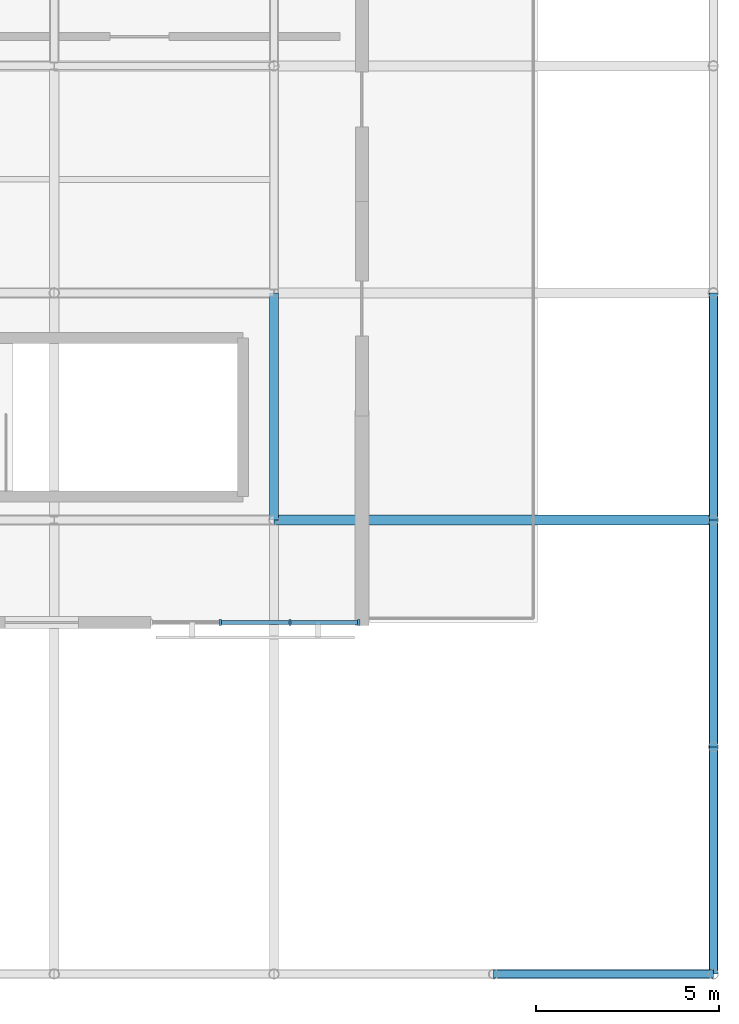
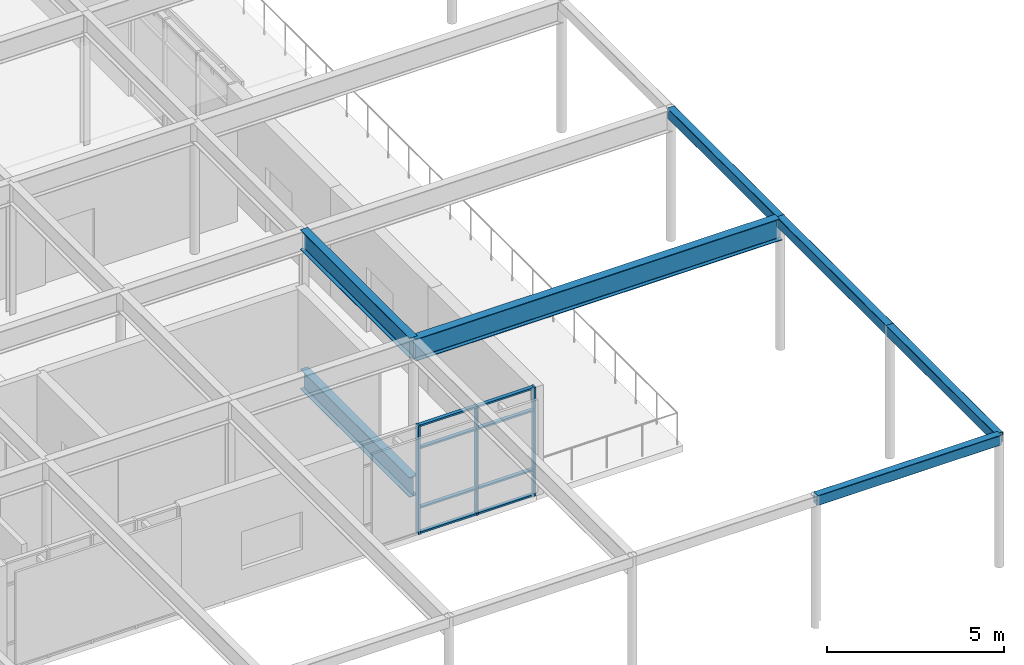
# One storey, part 25 of 48: 11 members, 7 beams, 1 element without a shape of its own.
"""IFC4 building model written with IfcOpenShell, lengths in metres."""

from ifc_helpers import new_model, si_unit, direction, frame, origin, origin_2d, place, context, subcontext, project, spatial, rectangle, hollow_rectangle, i_section, extrude, material, layer, layer_set, material_profile, profile_set, type_object, element, aggregate, save


model = new_model("IFC4")

# Units and contexts
model_context = context("Model", 3, precision=1e-05, world=origin(), true_north=direction((0.0, 1.0)))
body_context = subcontext(model_context, "Body", "Model", "MODEL_VIEW")
ifc_project = project(units=[si_unit("LENGTHUNIT", "METRE"), si_unit("AREAUNIT", "SQUARE_METRE"), si_unit("VOLUMEUNIT", "CUBIC_METRE"), si_unit("PLANEANGLEUNIT", "RADIAN"), si_unit("MASSUNIT", "GRAM", prefix="KILO")], contexts=[model_context])

# Site, building, storey
site_placement = place(None, origin())
site = spatial("IfcSite", under=ifc_project, at=site_placement, CompositionType="ELEMENT")
building_placement = place(site_placement, origin())
building = spatial("IfcBuilding", under=site, at=building_placement, Name="Mirzam Square Science Centre", CompositionType="ELEMENT")
storey_placement = place(building_placement, frame((0.0, 0.0, 20.39990234375)))
storey = spatial("IfcBuildingStorey", under=building, at=storey_placement, Name="L04", CompositionType="ELEMENT", Elevation=20.39990234375)

# Beams
ifc_material_1 = material(Name="Steel S355", Category="steel")
ifc_material_profile_1 = material_profile(ifc_material_1, i_section(OverallWidth=0.25439453125, OverallDepth=0.6875, WebThickness=0.01318359375, FlangeThickness=0.02099609375, FilletRadius=0.01513671875, at=origin_2d()), Name="686x254x152UB")
ifc_profile_set_1 = profile_set([ifc_material_profile_1], Name="Steel S355")
beam_type_1 = type_object("IfcBeamType", Name="BM-UB686", PredefinedType="BEAM", material=ifc_profile_set_1)
for number, where, z_axis, x_axis, name in (
    (1, (150.0, 49.60009765625, -0.59375), (0.0, 1.0, 0.0), (-1.0, 0.0, 0.0), "L04 girder Y26-9"),
    (2, (150.0, 49.60009765625, 4.226318359375), (0.0, 1.0, 0.0), (-1.0, 0.0, 0.0), "Parasol roof girder X26 Y9-10"),
):
    element("IfcBeam", number, at=place(storey_placement, frame(where, z_axis=z_axis, x_axis=x_axis)), inside=storey, type_object=beam_type_1, Name=name, PredefinedType="BEAM", context=body_context, shape_type="SweptSolid", body=[
        extrude(i_section(OverallWidth=0.25439453125, OverallDepth=0.6875, WebThickness=0.01318359375, FlangeThickness=0.02099609375, FilletRadius=0.01513671875, at=origin_2d()), origin(), (0.0, 0.0, 1.0), 6.199951171875),
    ])
ifc_material_profile_2 = material_profile(ifc_material_1, i_section(OverallWidth=0.2666015625, OverallDepth=0.76220703125, WebThickness=0.014404296875, FlangeThickness=0.021484375, FilletRadius=0.0166015625, at=origin_2d()), Name="762x267x173UB")
ifc_profile_set_2 = profile_set([ifc_material_profile_2], Name="Steel S355")
beam_type_2 = type_object("IfcBeamType", Name="BM-UB762", PredefinedType="BEAM", material=ifc_profile_set_2)
beam_1_placement = place(storey_placement, frame((150.0, 49.60009765625, 4.18896484375), z_axis=(1.0, 0.0, 0.0), x_axis=(0.0, 1.0, 0.0)))
element("IfcBeam", 3, at=beam_1_placement, inside=storey, type_object=beam_type_2, Name="Parasol roof girder Y9 X26-28", PredefinedType="BEAM", context=body_context, shape_type="SweptSolid", body=[
    extrude(i_section(OverallWidth=0.2666015625, OverallDepth=0.76220703125, WebThickness=0.014404296875, FlangeThickness=0.021484375, FilletRadius=0.0166015625, at=origin_2d()), origin(), (0.0, 0.0, 1.0), 12.0),
])

# Curtain wall, members
ifc_material_2 = material(Name="Anodised Aluminium and Low-E Solar Glass", Category="aluminium")
ifc_layer = layer(ifc_material_2, 0.199951171875)
ifc_layer_set = layer_set([ifc_layer], Name="CW-PARK-B")
curtain_wall_type = type_object("IfcCurtainWallType", Name="CW-PARK-B", PredefinedType="USERDEFINED", material=ifc_layer_set)
curtain_wall_placement = place(storey_placement, origin())
curtain_wall = element("IfcCurtainWall", 4, at=curtain_wall_placement, inside=storey, type_object=curtain_wall_type, Name="L04 unitised curtain wall 149", ObjectType="UNITISED CURTAIN WALL", PredefinedType="USERDEFINED")
ifc_material_3 = material(Name="Anodised Architectural Aluminium 6063-T6", Category="aluminium")
ifc_material_profile_3 = material_profile(ifc_material_3, rectangle(XDim=0.06005859375, YDim=0.159912109375, at=origin_2d()), Name="ALU-MULL-160x60x4")
ifc_profile_set_3 = profile_set([ifc_material_profile_3], Name="Anodised Architectural Aluminium 6063-T6")
member_type_1 = type_object("IfcMemberType", Name="CWM-160", PredefinedType="MULLION", material=ifc_profile_set_3)
member_1_placement = place(storey_placement, frame((148.53271484375, 46.800048828125, 0.0), z_axis=(0.0, 0.0, 1.0), x_axis=(1.0, 0.0, 0.0)))
member_1 = element("IfcMember", 5, at=member_1_placement, type_object=member_type_1, Name="CW-02 mullion 2", PredefinedType="MULLION", context=body_context, shape_type="SweptSolid", body=[
    extrude(rectangle(XDim=0.06005859375, YDim=0.159912109375, at=origin_2d()), origin(), (0.0, 0.0, 1.0), 3.760009765625),
])
member_2_placement = place(storey_placement, frame((150.438720703125, 46.800048828125, 0.0), z_axis=(0.0, 0.0, 1.0), x_axis=(1.0, 0.0, 0.0)))
member_2 = element("IfcMember", 6, at=member_2_placement, type_object=member_type_1, Name="CW-02 mullion 3", PredefinedType="MULLION", context=body_context, shape_type="SweptSolid", body=[
    extrude(rectangle(XDim=0.06005859375, YDim=0.159912109375, at=origin_2d()), origin(), (0.0, 0.0, 1.0), 3.760009765625),
])
member_3_placement = place(storey_placement, frame((152.31494140625, 46.800048828125, 0.0), z_axis=(0.0, 0.0, 1.0), x_axis=(1.0, 0.0, 0.0)))
member_3 = element("IfcMember", 7, at=member_3_placement, type_object=member_type_1, Name="CW-02 mullion 4", PredefinedType="MULLION", context=body_context, shape_type="SweptSolid", body=[
    extrude(rectangle(XDim=0.06005859375, YDim=0.159912109375, at=origin_2d()), origin(), (0.0, 0.0, 1.0), 3.760009765625),
])
ifc_material_profile_4 = material_profile(ifc_material_3, rectangle(XDim=0.1201171875, YDim=0.06005859375, at=origin_2d()), Name="ALU-TRAN-120x60x4")
ifc_profile_set_4 = profile_set([ifc_material_profile_4], Name="Anodised Architectural Aluminium 6063-T6")
member_type_2 = type_object("IfcMemberType", Name="CWT-120", PredefinedType="USERDEFINED", material=ifc_profile_set_4)
member_4_placement = place(storey_placement, frame((148.5625, 46.800048828125, 0.030029296875), z_axis=(1.0, 0.0, 0.0), x_axis=(0.0, 1.0, 0.0)))
member_4 = element("IfcMember", 8, at=member_4_placement, type_object=member_type_2, Name="CW-02 transom 2.1", ObjectType="TRANSOM", PredefinedType="USERDEFINED", context=body_context, shape_type="SweptSolid", body=[
    extrude(rectangle(XDim=0.1201171875, YDim=0.06005859375, at=origin_2d()), origin(), (0.0, 0.0, 1.0), 1.84619140625),
])
member_5_placement = place(storey_placement, frame((148.5625, 46.800048828125, 0.900146484375), z_axis=(1.0, 0.0, 0.0), x_axis=(0.0, 1.0, 0.0)))
member_5 = element("IfcMember", 9, at=member_5_placement, type_object=member_type_2, Name="CW-02 transom 2.2", ObjectType="TRANSOM", PredefinedType="USERDEFINED", context=body_context, shape_type="SweptSolid", body=[
    extrude(rectangle(XDim=0.1201171875, YDim=0.06005859375, at=origin_2d()), origin(), (0.0, 0.0, 1.0), 1.84619140625),
])
member_6_placement = place(storey_placement, frame((148.5625, 46.800048828125, 2.960205078125), z_axis=(1.0, 0.0, 0.0), x_axis=(0.0, 1.0, 0.0)))
member_6 = element("IfcMember", 10, at=member_6_placement, type_object=member_type_2, Name="CW-02 transom 2.3", ObjectType="TRANSOM", PredefinedType="USERDEFINED", context=body_context, shape_type="SweptSolid", body=[
    extrude(rectangle(XDim=0.1201171875, YDim=0.06005859375, at=origin_2d()), origin(), (0.0, 0.0, 1.0), 1.84619140625),
])
member_7_placement = place(storey_placement, frame((148.5625, 46.800048828125, 3.72998046875), z_axis=(1.0, 0.0, 0.0), x_axis=(0.0, 1.0, 0.0)))
member_7 = element("IfcMember", 11, at=member_7_placement, type_object=member_type_2, Name="CW-02 transom 2.4", ObjectType="TRANSOM", PredefinedType="USERDEFINED", context=body_context, shape_type="SweptSolid", body=[
    extrude(rectangle(XDim=0.1201171875, YDim=0.06005859375, at=origin_2d()), origin(), (0.0, 0.0, 1.0), 1.84619140625),
])
member_8_placement = place(storey_placement, frame((150.46875, 46.800048828125, 0.030029296875), z_axis=(1.0, 0.0, 0.0), x_axis=(0.0, 1.0, 0.0)))
member_8 = element("IfcMember", 12, at=member_8_placement, type_object=member_type_2, Name="CW-02 transom 3.1", ObjectType="TRANSOM", PredefinedType="USERDEFINED", context=body_context, shape_type="SweptSolid", body=[
    extrude(rectangle(XDim=0.1201171875, YDim=0.06005859375, at=origin_2d()), origin(), (0.0, 0.0, 1.0), 1.816162109375),
])
member_9_placement = place(storey_placement, frame((150.46875, 46.800048828125, 0.900146484375), z_axis=(1.0, 0.0, 0.0), x_axis=(0.0, 1.0, 0.0)))
member_9 = element("IfcMember", 13, at=member_9_placement, type_object=member_type_2, Name="CW-02 transom 3.2", ObjectType="TRANSOM", PredefinedType="USERDEFINED", context=body_context, shape_type="SweptSolid", body=[
    extrude(rectangle(XDim=0.1201171875, YDim=0.06005859375, at=origin_2d()), origin(), (0.0, 0.0, 1.0), 1.816162109375),
])
member_10_placement = place(storey_placement, frame((150.46875, 46.800048828125, 2.960205078125), z_axis=(1.0, 0.0, 0.0), x_axis=(0.0, 1.0, 0.0)))
member_10 = element("IfcMember", 14, at=member_10_placement, type_object=member_type_2, Name="CW-02 transom 3.3", ObjectType="TRANSOM", PredefinedType="USERDEFINED", context=body_context, shape_type="SweptSolid", body=[
    extrude(rectangle(XDim=0.1201171875, YDim=0.06005859375, at=origin_2d()), origin(), (0.0, 0.0, 1.0), 1.816162109375),
])
member_11_placement = place(storey_placement, frame((150.46875, 46.800048828125, 3.72998046875), z_axis=(1.0, 0.0, 0.0), x_axis=(0.0, 1.0, 0.0)))
member_11 = element("IfcMember", 15, at=member_11_placement, type_object=member_type_2, Name="CW-02 transom 3.4", ObjectType="TRANSOM", PredefinedType="USERDEFINED", context=body_context, shape_type="SweptSolid", body=[
    extrude(rectangle(XDim=0.1201171875, YDim=0.06005859375, at=origin_2d()), origin(), (0.0, 0.0, 1.0), 1.816162109375),
])
aggregate(curtain_wall, [member_1, member_2, member_3, member_4, member_5, member_6, member_7, member_8, member_9, member_10, member_11])

# Beams
ifc_material_profile_5 = material_profile(ifc_material_1, hollow_rectangle(XDim=0.25, YDim=0.35009765625, WallThickness=0.012451171875, InnerFilletRadius=0.012451171875, OuterFilletRadius=0.02490234375, at=origin_2d()), Name="350x250x12.5RHS")
ifc_profile_set_5 = profile_set([ifc_material_profile_5], Name="Steel S355")
beam_type_3 = type_object("IfcBeamType", Name="SP-RHS350", PredefinedType="SPANDREL", material=ifc_profile_set_5)
beam_2_placement = place(storey_placement, frame((156.0, 37.199951171875, 4.39501953125), z_axis=(1.0, 0.0, 0.0), x_axis=(0.0, 1.0, 0.0)))
element("IfcBeam", 16, at=beam_2_placement, inside=storey, type_object=beam_type_3, Name="Parasol S fascia beam 27", PredefinedType="SPANDREL", context=body_context, shape_type="SweptSolid", body=[
    extrude(hollow_rectangle(XDim=0.25, YDim=0.35009765625, WallThickness=0.012451171875, InnerFilletRadius=0.012451171875, OuterFilletRadius=0.02490234375, at=origin_2d()), origin(), (0.0, 0.0, 1.0), 6.0),
])
beam_3_placement = place(storey_placement, frame((162.0, 37.199951171875, 4.39501953125), z_axis=(0.0, 1.0, 0.0), x_axis=(-1.0, 0.0, 0.0)))
element("IfcBeam", 17, at=beam_3_placement, inside=storey, type_object=beam_type_3, Name="Parasol E fascia beam 7", PredefinedType="SPANDREL", context=body_context, shape_type="SweptSolid", body=[
    extrude(hollow_rectangle(XDim=0.25, YDim=0.35009765625, WallThickness=0.012451171875, InnerFilletRadius=0.012451171875, OuterFilletRadius=0.02490234375, at=origin_2d()), origin(), (0.0, 0.0, 1.0), 6.199951171875),
])
beam_4_placement = place(storey_placement, frame((162.0, 43.39990234375, 4.39501953125), z_axis=(0.0, 1.0, 0.0), x_axis=(-1.0, 0.0, 0.0)))
element("IfcBeam", 18, at=beam_4_placement, inside=storey, type_object=beam_type_3, Name="Parasol E fascia beam 8", PredefinedType="SPANDREL", context=body_context, shape_type="SweptSolid", body=[
    extrude(hollow_rectangle(XDim=0.25, YDim=0.35009765625, WallThickness=0.012451171875, InnerFilletRadius=0.012451171875, OuterFilletRadius=0.02490234375, at=origin_2d()), origin(), (0.0, 0.0, 1.0), 6.2001953125),
])
beam_5_placement = place(storey_placement, frame((162.0, 49.60009765625, 4.39501953125), z_axis=(0.0, 1.0, 0.0), x_axis=(-1.0, 0.0, 0.0)))
element("IfcBeam", 19, at=beam_5_placement, inside=storey, type_object=beam_type_3, Name="Parasol E fascia beam 9", PredefinedType="SPANDREL", context=body_context, shape_type="SweptSolid", body=[
    extrude(hollow_rectangle(XDim=0.25, YDim=0.35009765625, WallThickness=0.012451171875, InnerFilletRadius=0.012451171875, OuterFilletRadius=0.02490234375, at=origin_2d()), origin(), (0.0, 0.0, 1.0), 6.199951171875),
])

save(model, "model.ifc")
